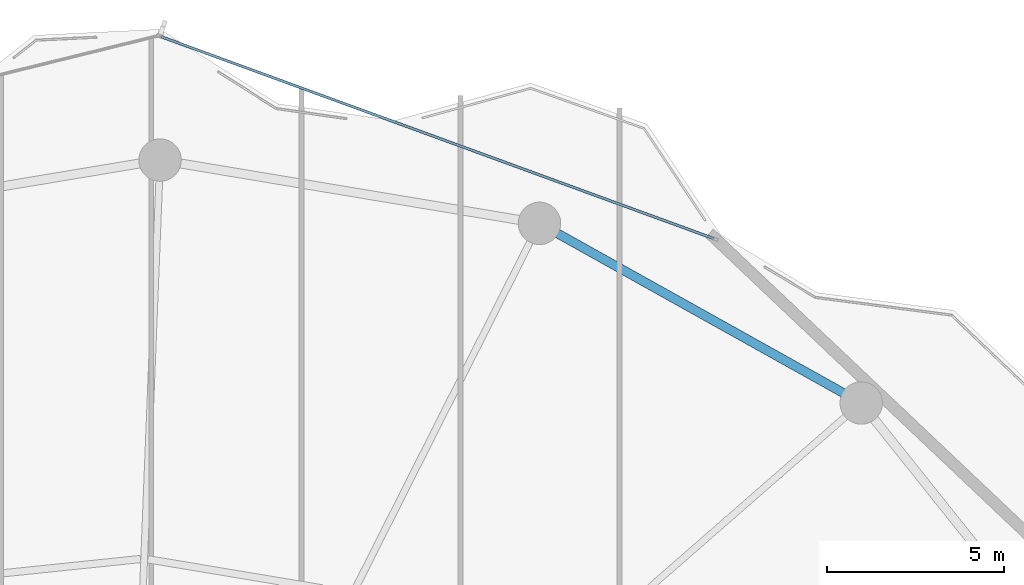
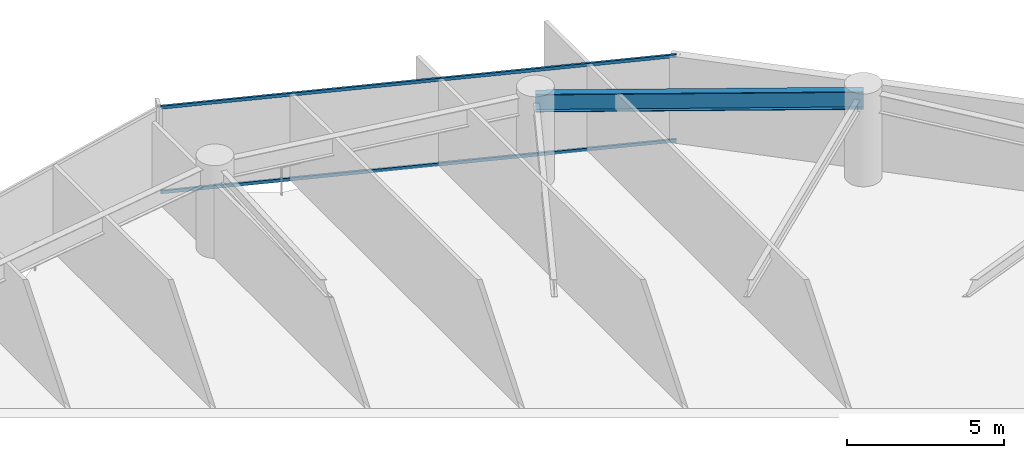
# One storey, part 20 of 28: 2 members, 1 beam, 1 element without a shape of its own.
"""IFC4 building model written with IfcOpenShell, lengths in metres."""

import ifcopenshell
import ifcopenshell.guid

model = None  # the IFC model being written
_history = None  # IfcOwnerHistory: only IFC2X3 demands one
_inside = {}  # id of a spatial element -> (the spatial element, [elements in it])
_under = {}  # id of a project, library or spatial element -> (it, [spatial elements below it])
_declared = {}  # id of a project -> (the project, [libraries it declares])
_typed = {}  # id of a type object -> (the type object, [elements of that type])
_made_of = {}  # id of a material, layer set ... -> (it, [elements and type objects made of it])


def new_model(schema):
    """Start an empty IFC model of exactly this schema.

    Asked for "IFC4X3", IfcOpenShell would pick the latest addendum, in which some entities
    have other attributes; the version numbers below select the first issue.
    IFC2X3 requires an IfcOwnerHistory on every rooted entity: one is made here for all.
    """
    global model, _history
    if schema == "IFC4X3":
        model = ifcopenshell.file(schema_version=(4, 3, 0, 0))
    else:
        model = ifcopenshell.file(schema=schema)
    _inside.clear()
    _under.clear()
    _declared.clear()
    _typed.clear()
    _made_of.clear()
    _history = None
    if model.schema == "IFC2X3":
        org = make("IfcOrganization", Name="unknown")
        user = make(
            "IfcPersonAndOrganization",
            ThePerson=make("IfcPerson", FamilyName="unknown"),
            TheOrganization=org,
        )
        app = make(
            "IfcApplication",
            ApplicationDeveloper=org,
            Version="unknown",
            ApplicationFullName="unknown",
            ApplicationIdentifier="unknown",
        )
        _history = make(
            "IfcOwnerHistory",
            OwningUser=user,
            OwningApplication=app,
            ChangeAction="ADDED",
            CreationDate=0,
        )
    return model


def make(cls, **values):
    """One entity of the class cls with the attributes given. An attribute that is None is left unset."""
    return model.create_entity(
        cls, **{name: value for name, value in values.items() if value is not None}
    )


def rooted(cls, **values):
    """An entity with a GlobalId (a new one), such as an element, a storey or a relation."""
    return make(cls, GlobalId=ifcopenshell.guid.new(), OwnerHistory=_history, **values)


def si_unit(unit_type, name, prefix=None):
    """IfcSIUnit, for example si_unit("LENGTHUNIT", "METRE", prefix="MILLI")."""
    return make("IfcSIUnit", UnitType=unit_type, Prefix=prefix, Name=name)


def assignment(units):
    """IfcUnitAssignment: the units of a project."""
    return None if units is None else make("IfcUnitAssignment", Units=units)


def point(xyz):
    """IfcCartesianPoint."""
    return None if xyz is None else make("IfcCartesianPoint", Coordinates=xyz)


def direction(xyz):
    """IfcDirection."""
    return None if xyz is None else make("IfcDirection", DirectionRatios=xyz)


def frame(location, z_axis=None, x_axis=None):
    """IfcAxis2Placement3D, a coordinate frame: its origin and axes. An axis left out is left unset."""
    return make(
        "IfcAxis2Placement3D",
        Location=point(location),
        Axis=direction(z_axis),
        RefDirection=direction(x_axis),
    )


def frame_2d(location, x_axis=None):
    """IfcAxis2Placement2D, a coordinate frame in the plane: its origin and x axis."""
    return make(
        "IfcAxis2Placement2D", Location=point(location), RefDirection=direction(x_axis)
    )


def origin():
    """The frame at (0, 0, 0) with its axes left unset."""
    return frame((0.0, 0.0, 0.0))


def origin_2d():
    """The frame at (0, 0) in the plane with its x axis left unset."""
    return frame_2d((0.0, 0.0))


def place(relative_to, where):
    """IfcLocalPlacement: puts the frame where relative to a parent placement (None: the world)."""
    return make(
        "IfcLocalPlacement", PlacementRelTo=relative_to, RelativePlacement=where
    )


def context(
    kind, dimensions, precision=None, world=None, true_north=None, identifier=None
):
    """IfcGeometricRepresentationContext, for example the 3D "Model" context."""
    return make(
        "IfcGeometricRepresentationContext",
        ContextIdentifier=identifier,
        ContextType=kind,
        CoordinateSpaceDimension=dimensions,
        Precision=precision,
        WorldCoordinateSystem=world,
        TrueNorth=true_north,
    )


def subcontext(parent, identifier, kind, view, scale=None):
    """IfcGeometricRepresentationSubContext, for example "Body" below "Model"."""
    return make(
        "IfcGeometricRepresentationSubContext",
        ContextIdentifier=identifier,
        ContextType=kind,
        ParentContext=parent,
        TargetScale=scale,
        TargetView=view,
    )


def project(units=None, contexts=None):
    """IfcProject with its units and contexts."""
    return rooted(
        "IfcProject",
        Name="project",
        RepresentationContexts=contexts,
        UnitsInContext=assignment(units),
    )


def spatial(cls, under=None, at=None, **own):
    """A site, building, storey or space (cls), placed at a placement, below another one or the project."""
    s = rooted(cls, ObjectPlacement=at, **own)
    if under is not None:
        _under.setdefault(under.id(), (under, []))[1].append(s)
    return s


def profile(cls, at=None, kind="AREA", **sizes):
    """A parametric profile (cls). Its sizes go by their IFC names, for example OverallWidth=200.0."""
    return make(cls, ProfileType=kind, Position=at, **sizes)


def hollow_rectangle(**sizes):
    """IfcRectangleHollowProfileDef."""
    return profile("IfcRectangleHollowProfileDef", **sizes)


def i_section(**sizes):
    """IfcIShapeProfileDef."""
    return profile("IfcIShapeProfileDef", **sizes)


def extrude(swept, where, along, depth):
    """IfcExtrudedAreaSolid: the profile swept, set in the frame where, extruded along a direction by depth."""
    return make(
        "IfcExtrudedAreaSolid",
        SweptArea=swept,
        Position=where,
        ExtrudedDirection=direction(along),
        Depth=depth,
    )


def shape(context_of_items, identifier, shape_type, items):
    """IfcShapeRepresentation: the items that make up one representation, for example the "Body"."""
    return make(
        "IfcShapeRepresentation",
        ContextOfItems=context_of_items,
        RepresentationIdentifier=identifier,
        RepresentationType=shape_type,
        Items=items,
    )


def material(Name=None, Category=None):
    """IfcMaterial."""
    return make("IfcMaterial", Name=Name, Category=Category)


def layer(
    of_material, thickness, ventilated=None, Name=None, Category=None, Priority=None
):
    """IfcMaterialLayer: one layer of a wall or slab, of a material (None: an air gap)."""
    return make(
        "IfcMaterialLayer",
        Material=of_material,
        LayerThickness=thickness,
        IsVentilated=ventilated,
        Name=Name,
        Category=Category,
        Priority=Priority,
    )


def layer_set(layers, Name=None):
    """IfcMaterialLayerSet."""
    return make("IfcMaterialLayerSet", MaterialLayers=layers, LayerSetName=Name)


def material_profile(
    of_material, cross_section, Name=None, Category=None, Priority=None
):
    """IfcMaterialProfile: a cross section and its material."""
    return make(
        "IfcMaterialProfile",
        Name=Name,
        Material=of_material,
        Profile=cross_section,
        Priority=Priority,
        Category=Category,
    )


def profile_set(profiles, Name=None, composite=None):
    """IfcMaterialProfileSet."""
    return make(
        "IfcMaterialProfileSet",
        Name=Name,
        MaterialProfiles=profiles,
        CompositeProfile=composite,
    )


def made_of(thing, what):
    """Note that an element or type object is made of a material, layer set ...; save() writes the relation."""
    if what is not None:
        _made_of.setdefault(what.id(), (what, []))[1].append(thing)
    return thing


def type_object(cls, material=None, **own):
    """A type object (cls), such as IfcWallType, which elements share."""
    return made_of(rooted(cls, **own), material)


def element(
    cls,
    number,
    at=None,
    inside=None,
    cuts=None,
    type_object=None,
    material=None,
    context=None,
    identifier="Body",
    shape_type=None,
    held_by="IfcProductDefinitionShape",
    body=None,
    shapes=None,
    **own,
):
    """One element of the class cls, such as IfcWall. Its Tag is "e" and its number.

    at: its placement. inside: the storey or other place that contains it. cuts: it is an
    opening in that element (IfcRelVoidsElement). A single representation is given by context,
    identifier, shape_type and body (its items); several are given by shapes. held_by: the class
    of the entity that holds the representations. save() writes the other relations.
    """
    e = rooted(cls, Tag="e%d" % number, ObjectPlacement=at, **own)
    if body is not None:
        shapes = [shape(context, identifier, shape_type, body)]
    if shapes is not None:
        e.Representation = make(held_by, Representations=shapes)
    if inside is not None:
        _inside.setdefault(inside.id(), (inside, []))[1].append(e)
    if cuts is not None:
        rooted(
            "IfcRelVoidsElement", RelatingBuildingElement=cuts, RelatedOpeningElement=e
        )
    if type_object is not None:
        _typed.setdefault(type_object.id(), (type_object, []))[1].append(e)
    return made_of(e, material)


def aggregate(whole, parts):
    """IfcRelAggregates: a whole, such as a stair, and the parts it consists of."""
    return rooted("IfcRelAggregates", RelatingObject=whole, RelatedObjects=parts)


def save(model, path):
    """Write the relations noted so far, then the file.

    IfcRelAggregates (storeys below a building ...), IfcRelContainedInSpatialStructure (elements
    in a storey), IfcRelDefinesByType, IfcRelAssociatesMaterial and IfcRelDeclares: one each for
    every whole, place, type object, material and project.
    """
    for whole, parts in _under.values():
        aggregate(whole, parts)
    for where, things in _inside.values():
        rooted(
            "IfcRelContainedInSpatialStructure",
            RelatedElements=things,
            RelatingStructure=where,
        )
    for kind, things in _typed.values():
        rooted("IfcRelDefinesByType", RelatedObjects=things, RelatingType=kind)
    for what, things in _made_of.values():
        rooted("IfcRelAssociatesMaterial", RelatedObjects=things, RelatingMaterial=what)
    for by, libraries in _declared.values():
        rooted("IfcRelDeclares", RelatingContext=by, RelatedDefinitions=libraries)
    model.write(path)


model = new_model("IFC4")

# Units and contexts
model_context = context("Model", 3, precision=1e-05, world=origin(), true_north=direction((0.0, 1.0)))
body_context = subcontext(model_context, "Body", "Model", "MODEL_VIEW")
ifc_project = project(units=[si_unit("LENGTHUNIT", "METRE"), si_unit("AREAUNIT", "SQUARE_METRE"), si_unit("VOLUMEUNIT", "CUBIC_METRE"), si_unit("PLANEANGLEUNIT", "RADIAN"), si_unit("MASSUNIT", "GRAM", prefix="KILO")], contexts=[model_context])

# Site, building, storey
site_placement = place(None, origin())
site = spatial("IfcSite", under=ifc_project, at=site_placement, CompositionType="ELEMENT")
building_placement = place(site_placement, origin())
building = spatial("IfcBuilding", under=site, at=building_placement, Name="Kazevale Care Tower and Concert Hall", CompositionType="ELEMENT")
storey_placement = place(building_placement, frame((0.0, 0.0, 120.60009765625)))
storey = spatial("IfcBuildingStorey", under=building, at=storey_placement, Name="L31", CompositionType="ELEMENT", Elevation=120.60009765625)

# Curtain wall, members
ifc_material_1 = material(Name="Aluminium 6063-T6 and Low-E Glass", Category="aluminium")
ifc_layer = layer(ifc_material_1, 0.179931640625)
ifc_layer_set = layer_set([ifc_layer], Name="Aluminium 6063-T6 and Low-E Glass")
curtain_wall_type = type_object("IfcCurtainWallType", Name="Convex Checkerboard Finned Curtain Wall CW-2", PredefinedType="NOTDEFINED", material=ifc_layer_set)
curtain_wall_placement = place(storey_placement, origin())
curtain_wall = element("IfcCurtainWall", 1, at=curtain_wall_placement, inside=storey, type_object=curtain_wall_type, Name="cw:L31:f16", PredefinedType="NOTDEFINED")
ifc_material_2 = material(Name="Aluminium 6063-T6", Category="aluminium")
ifc_material_profile_1 = material_profile(ifc_material_2, hollow_rectangle(XDim=0.074951171875, YDim=0.1201171875, WallThickness=0.00390625, at=origin_2d()), Name="ALU75x120x4")
ifc_profile_set_1 = profile_set([ifc_material_profile_1], Name="Aluminium 6063-T6")
member_type = type_object("IfcMemberType", Name="CW-2 Transom ALU75x120x4", PredefinedType="USERDEFINED", material=ifc_profile_set_1)
member_1_placement = place(storey_placement, frame((45.027099609375, 64.939453125, 0.037353515625), z_axis=(0.939285028824, -0.343137923622, 0.0), x_axis=(0.343137923622, 0.939285028824, 0.0)))
member_1 = element("IfcMember", 2, at=member_1_placement, type_object=member_type, Name="CW-2 transom 1.1", ObjectType="TRANSOM", PredefinedType="USERDEFINED", context=body_context, shape_type="SweptSolid", body=[
    extrude(hollow_rectangle(XDim=0.074951171875, YDim=0.1201171875, WallThickness=0.00390625, at=origin_2d()), origin(), (0.0, 0.0, 1.0), 16.634765625),
])
member_2_placement = place(storey_placement, frame((45.027099609375, 64.939453125, 3.322509765625), z_axis=(0.939285028824, -0.343137923622, 0.0), x_axis=(0.343137923622, 0.939285028824, 0.0)))
member_2 = element("IfcMember", 3, at=member_2_placement, type_object=member_type, Name="CW-2 transom 1.2", ObjectType="TRANSOM", PredefinedType="USERDEFINED", context=body_context, shape_type="SweptSolid", body=[
    extrude(hollow_rectangle(XDim=0.074951171875, YDim=0.1201171875, WallThickness=0.00390625, at=origin_2d()), origin(), (0.0, 0.0, 1.0), 16.634765625),
])
aggregate(curtain_wall, [member_1, member_2])

# Beam
ifc_material_3 = material(Name="Steel ASTM A572 Gr 50", Category="steel")
ifc_material_profile_2 = material_profile(ifc_material_3, i_section(OverallWidth=0.256103515625, OverallDepth=0.693115234375, WebThickness=0.014404296875, FlangeThickness=0.023681640625, at=origin_2d()), Name="W690x170")
ifc_profile_set_2 = profile_set([ifc_material_profile_2], Name="Steel ASTM A572 Gr 50")
beam_type = type_object("IfcBeamType", Name="Waist Ring Beam W690x170", PredefinedType="BEAM", material=ifc_profile_set_2)
beam_placement = place(storey_placement, frame((64.830078125, 54.580078125, 3.013427734375), z_axis=(-0.873168720251, 0.487418081297, 0.0), x_axis=(-0.487418081297, -0.873168720251, 0.0)))
element("IfcBeam", 4, at=beam_placement, inside=storey, type_object=beam_type, Name="beam:L31:ring:03", PredefinedType="BEAM", context=body_context, shape_type="SweptSolid", body=[
    extrude(i_section(OverallWidth=0.256103515625, OverallDepth=0.693115234375, WebThickness=0.014404296875, FlangeThickness=0.023681640625, at=origin_2d()), origin(), (0.0, 0.0, 1.0), 10.421875),
])

save(model, "model.ifc")
